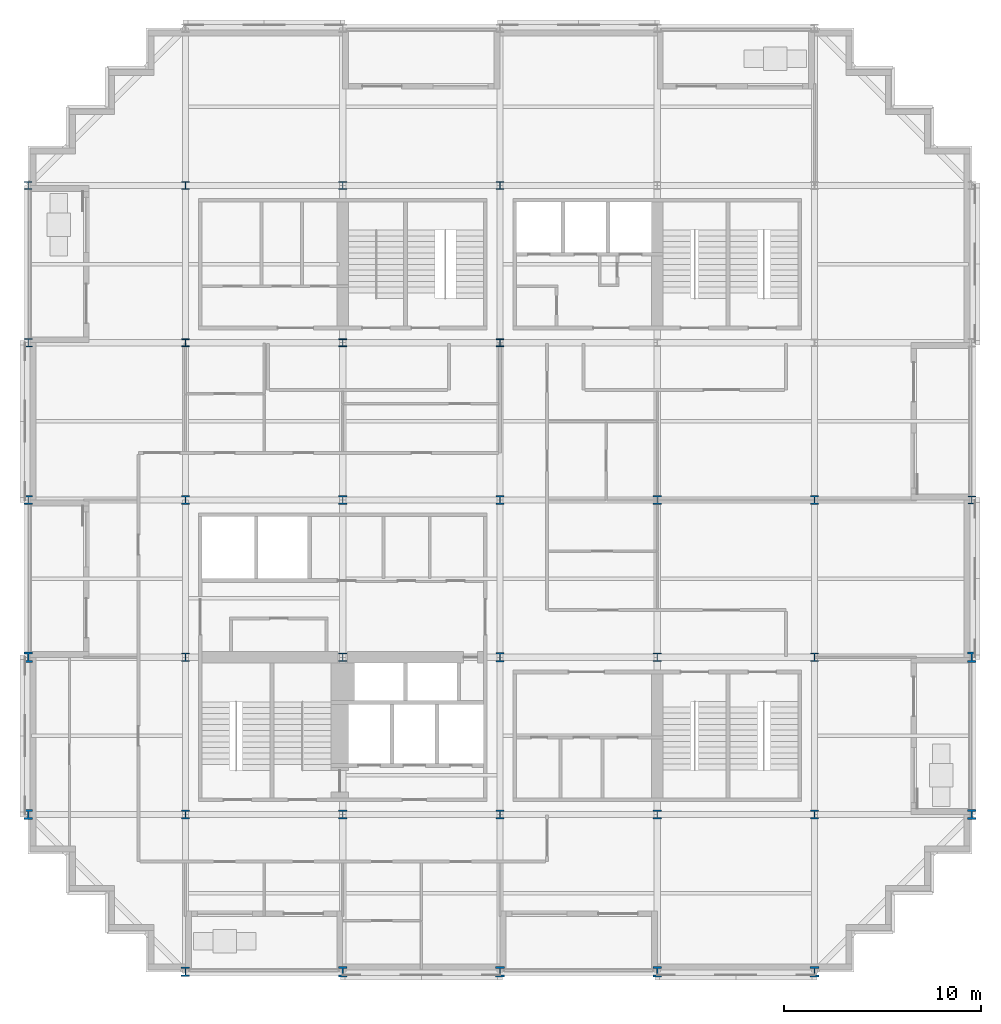
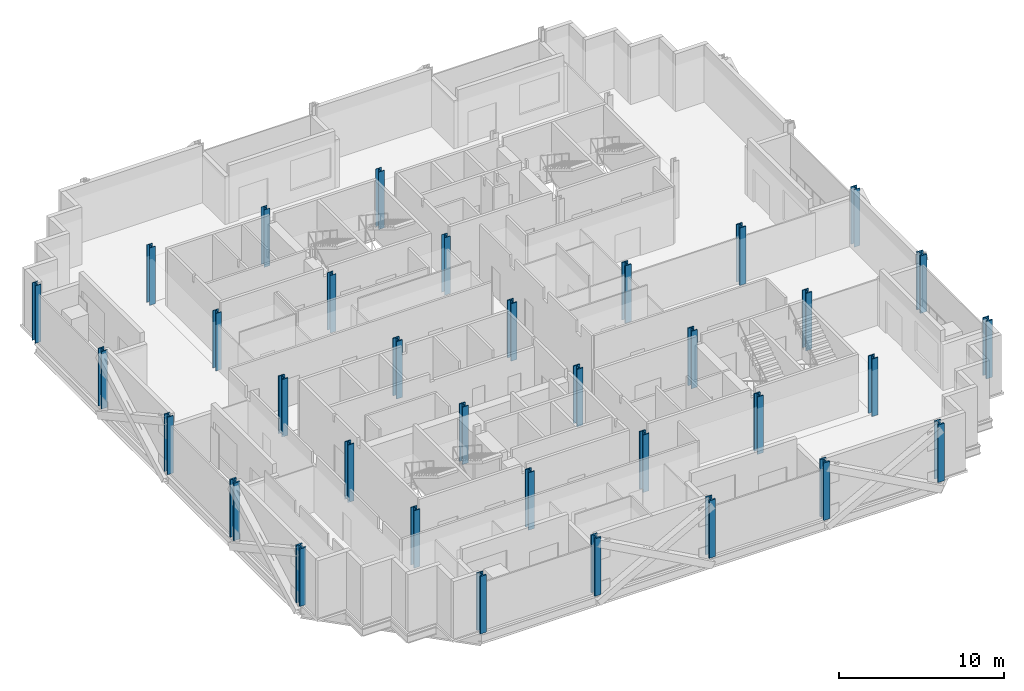
# One storey, part 1 of 13: 34 columns.
"""IFC4 building model written with IfcOpenShell, lengths in metres."""

from ifc_helpers import new_model, si_unit, direction, frame, origin, origin_2d, place, context, subcontext, project, spatial, i_section, extrude, material, material_profile, profile_set, type_object, element, save


model = new_model("IFC4")

# Units and contexts
model_context = context("Model", 3, precision=1e-05, world=origin(), true_north=direction((0.0, 1.0)))
body_context = subcontext(model_context, "Body", "Model", "MODEL_VIEW")
ifc_project = project(units=[si_unit("LENGTHUNIT", "METRE"), si_unit("AREAUNIT", "SQUARE_METRE"), si_unit("VOLUMEUNIT", "CUBIC_METRE"), si_unit("PLANEANGLEUNIT", "RADIAN"), si_unit("MASSUNIT", "GRAM", prefix="KILO")], contexts=[model_context])

# Site, building, storey
site_placement = place(None, origin())
site = spatial("IfcSite", under=ifc_project, at=site_placement, CompositionType="ELEMENT")
building_placement = place(site_placement, origin())
building = spatial("IfcBuilding", under=site, at=building_placement, Name="Immortelle Media Tower", CompositionType="ELEMENT")
storey_placement = place(building_placement, frame((0.0, 0.0, 34.800048828125)))
storey = spatial("IfcBuildingStorey", under=building, at=storey_placement, Name="L04", CompositionType="ELEMENT", Elevation=34.800048828125)

# Columns
ifc_material = material(Name="Steel ASTM A992 Gr 50", Category="steel")
ifc_material_profile_1 = material_profile(ifc_material, i_section(OverallWidth=0.39892578125, OverallDepth=0.385986328125, WebThickness=0.02099609375, FlangeThickness=0.032958984375, at=origin_2d()), Name="W14x176")
ifc_profile_set_1 = profile_set([ifc_material_profile_1], Name="Steel ASTM A992 Gr 50")
column_type_1 = type_object("IfcColumnType", Name="W14x176 column", PredefinedType="COLUMN", material=ifc_profile_set_1)
for number, where, z_axis, x_axis, name in (
    (1, (8.0, 32.0, 0.0), (0.0, 0.0, 1.0), (1.0, 0.0, 0.0), "Column 2/E"),
    (2, (8.0, 40.0, 0.0), (0.0, 0.0, 1.0), (1.0, 0.0, 0.0), "Column 2/F"),
    (3, (16.0, 32.0, 0.0), (0.0, 0.0, 1.0), (1.0, 0.0, 0.0), "Column 3/E"),
    (4, (16.0, 40.0, 0.0), (0.0, 0.0, 1.0), (1.0, 0.0, 0.0), "Column 3/F"),
):
    element("IfcColumn", number, at=place(storey_placement, frame(where, z_axis=z_axis, x_axis=x_axis)), inside=storey, type_object=column_type_1, Name=name, PredefinedType="COLUMN", context=body_context, shape_type="SweptSolid", body=[
        extrude(i_section(OverallWidth=0.39892578125, OverallDepth=0.385986328125, WebThickness=0.02099609375, FlangeThickness=0.032958984375, at=origin_2d()), origin(), (0.0, 0.0, 1.0), 4.25),
    ])
ifc_material_profile_2 = material_profile(ifc_material, i_section(OverallWidth=0.40087890625, OverallDepth=0.39892578125, WebThickness=0.02490234375, FlangeThickness=0.0400390625, at=origin_2d()), Name="W14x211")
ifc_profile_set_2 = profile_set([ifc_material_profile_2], Name="Steel ASTM A992 Gr 50")
column_type_2 = type_object("IfcColumnType", Name="W14x211 column", PredefinedType="COLUMN", material=ifc_profile_set_2)
for number, where, z_axis, x_axis, name in (
    (5, (24.0, 32.0, 0.0), (0.0, 0.0, 1.0), (1.0, 0.0, 0.0), "Column 4/E"),
    (6, (24.0, 40.0, 0.0), (0.0, 0.0, 1.0), (1.0, 0.0, 0.0), "Column 4/F"),
):
    element("IfcColumn", number, at=place(storey_placement, frame(where, z_axis=z_axis, x_axis=x_axis)), inside=storey, type_object=column_type_2, Name=name, PredefinedType="COLUMN", context=body_context, shape_type="SweptSolid", body=[
        extrude(i_section(OverallWidth=0.40087890625, OverallDepth=0.39892578125, WebThickness=0.02490234375, FlangeThickness=0.0400390625, at=origin_2d()), origin(), (0.0, 0.0, 1.0), 4.25),
    ])
ifc_material_profile_3 = material_profile(ifc_material, i_section(OverallWidth=0.406005859375, OverallDepth=0.4169921875, WebThickness=0.030029296875, FlangeThickness=0.048095703125, at=origin_2d()), Name="W14x257")
ifc_profile_set_3 = profile_set([ifc_material_profile_3], Name="Steel ASTM A992 Gr 50")
column_type_3 = type_object("IfcColumnType", Name="W14x257 column", PredefinedType="COLUMN", material=ifc_profile_set_3)
for number, where, z_axis, x_axis, name in (
    (7, (0.0, 40.0, 0.0), (0.0, 0.0, 1.0), (1.0, 0.0, 0.0), "Column 1/F"),
    (8, (48.0, 24.0, 0.0), (0.0, 0.0, 1.0), (1.0, 0.0, 0.0), "Column 7/D"),
):
    element("IfcColumn", number, at=place(storey_placement, frame(where, z_axis=z_axis, x_axis=x_axis)), inside=storey, type_object=column_type_3, Name=name, PredefinedType="COLUMN", context=body_context, shape_type="SweptSolid", body=[
        extrude(i_section(OverallWidth=0.406005859375, OverallDepth=0.4169921875, WebThickness=0.030029296875, FlangeThickness=0.048095703125, at=origin_2d()), origin(), (0.0, 0.0, 1.0), 4.25),
    ])
ifc_material_profile_4 = material_profile(ifc_material, i_section(OverallWidth=0.410888671875, OverallDepth=0.43408203125, WebThickness=0.035888671875, FlangeThickness=0.056884765625, at=origin_2d()), Name="W14x311")
ifc_profile_set_4 = profile_set([ifc_material_profile_4], Name="Steel ASTM A992 Gr 50")
column_type_4 = type_object("IfcColumnType", Name="W14x311 column", PredefinedType="COLUMN", material=ifc_profile_set_4)
for number, where, z_axis, x_axis, name in (
    (9, (0.0, 24.0, 0.0), (0.0, 0.0, 1.0), (1.0, 0.0, 0.0), "Column 1/D"),
    (10, (0.0, 32.0, 0.0), (0.0, 0.0, 1.0), (1.0, 0.0, 0.0), "Column 1/E"),
):
    element("IfcColumn", number, at=place(storey_placement, frame(where, z_axis=z_axis, x_axis=x_axis)), inside=storey, type_object=column_type_4, Name=name, PredefinedType="COLUMN", context=body_context, shape_type="SweptSolid", body=[
        extrude(i_section(OverallWidth=0.410888671875, OverallDepth=0.43408203125, WebThickness=0.035888671875, FlangeThickness=0.056884765625, at=origin_2d()), origin(), (0.0, 0.0, 1.0), 4.25),
    ])
ifc_material_profile_5 = material_profile(ifc_material, i_section(OverallWidth=0.4189453125, OverallDepth=0.455078125, WebThickness=0.0419921875, FlangeThickness=0.068115234375, at=origin_2d()), Name="W14x370")
ifc_profile_set_5 = profile_set([ifc_material_profile_5], Name="Steel ASTM A992 Gr 50")
column_type_5 = type_object("IfcColumnType", Name="W14x370 column", PredefinedType="COLUMN", material=ifc_profile_set_5)
for number, where, z_axis, x_axis, name in (
    (11, (8.0, 8.0, 0.0), (0.0, 0.0, 1.0), (1.0, 0.0, 0.0), "Column 2/B"),
    (12, (8.0, 16.0, 0.0), (0.0, 0.0, 1.0), (1.0, 0.0, 0.0), "Column 2/C"),
    (13, (16.0, 8.0, 0.0), (0.0, 0.0, 1.0), (1.0, 0.0, 0.0), "Column 3/B"),
    (14, (16.0, 16.0, 0.0), (0.0, 0.0, 1.0), (1.0, 0.0, 0.0), "Column 3/C"),
    (15, (32.0, 8.0, 0.0), (0.0, 0.0, 1.0), (1.0, 0.0, 0.0), "Column 5/B"),
    (16, (32.0, 16.0, 0.0), (0.0, 0.0, 1.0), (1.0, 0.0, 0.0), "Column 5/C"),
    (17, (40.0, 8.0, 0.0), (0.0, 0.0, 1.0), (1.0, 0.0, 0.0), "Column 6/B"),
    (18, (40.0, 16.0, 0.0), (0.0, 0.0, 1.0), (1.0, 0.0, 0.0), "Column 6/C"),
):
    element("IfcColumn", number, at=place(storey_placement, frame(where, z_axis=z_axis, x_axis=x_axis)), inside=storey, type_object=column_type_5, Name=name, PredefinedType="COLUMN", context=body_context, shape_type="SweptSolid", body=[
        extrude(i_section(OverallWidth=0.4189453125, OverallDepth=0.455078125, WebThickness=0.0419921875, FlangeThickness=0.068115234375, at=origin_2d()), origin(), (0.0, 0.0, 1.0), 4.25),
    ])
ifc_material_profile_6 = material_profile(ifc_material, i_section(OverallWidth=0.424072265625, OverallDepth=0.47509765625, WebThickness=0.048095703125, FlangeThickness=0.076904296875, at=origin_2d()), Name="W14x426")
ifc_profile_set_6 = profile_set([ifc_material_profile_6], Name="Steel ASTM A992 Gr 50")
column_type_6 = type_object("IfcColumnType", Name="W14x426 column", PredefinedType="COLUMN", material=ifc_profile_set_6)
for number, where, z_axis, x_axis, name in (
    (19, (8.0, 24.0, 0.0), (0.0, 0.0, 1.0), (1.0, 0.0, 0.0), "Column 2/D"),
    (20, (16.0, 24.0, 0.0), (0.0, 0.0, 1.0), (1.0, 0.0, 0.0), "Column 3/D"),
    (21, (24.0, 8.0, 0.0), (0.0, 0.0, 1.0), (1.0, 0.0, 0.0), "Column 4/B"),
    (22, (24.0, 16.0, 0.0), (0.0, 0.0, 1.0), (1.0, 0.0, 0.0), "Column 4/C"),
    (23, (24.0, 24.0, 0.0), (0.0, 0.0, 1.0), (1.0, 0.0, 0.0), "Column 4/D"),
    (24, (32.0, 24.0, 0.0), (0.0, 0.0, 1.0), (1.0, 0.0, 0.0), "Column 5/D"),
    (25, (40.0, 24.0, 0.0), (0.0, 0.0, 1.0), (1.0, 0.0, 0.0), "Column 6/D"),
):
    element("IfcColumn", number, at=place(storey_placement, frame(where, z_axis=z_axis, x_axis=x_axis)), inside=storey, type_object=column_type_6, Name=name, PredefinedType="COLUMN", context=body_context, shape_type="SweptSolid", body=[
        extrude(i_section(OverallWidth=0.424072265625, OverallDepth=0.47509765625, WebThickness=0.048095703125, FlangeThickness=0.076904296875, at=origin_2d()), origin(), (0.0, 0.0, 1.0), 4.25),
    ])
ifc_material_profile_7 = material_profile(ifc_material, i_section(OverallWidth=0.431884765625, OverallDepth=0.498046875, WebThickness=0.055908203125, FlangeThickness=0.089111328125, at=origin_2d()), Name="W14x500")
ifc_profile_set_7 = profile_set([ifc_material_profile_7], Name="Steel ASTM A992 Gr 50")
column_type_7 = type_object("IfcColumnType", Name="W14x500 column", PredefinedType="COLUMN", material=ifc_profile_set_7)
for number, where, z_axis, x_axis, name in (
    (26, (8.0, 0.0, 0.0), (0.0, 0.0, 1.0), (1.0, 0.0, 0.0), "Column 2/A"),
    (27, (48.0, 8.0, 0.0), (0.0, 0.0, 1.0), (1.0, 0.0, 0.0), "Column 7/B"),
):
    element("IfcColumn", number, at=place(storey_placement, frame(where, z_axis=z_axis, x_axis=x_axis)), inside=storey, type_object=column_type_7, Name=name, PredefinedType="COLUMN", context=body_context, shape_type="SweptSolid", body=[
        extrude(i_section(OverallWidth=0.431884765625, OverallDepth=0.498046875, WebThickness=0.055908203125, FlangeThickness=0.089111328125, at=origin_2d()), origin(), (0.0, 0.0, 1.0), 4.25),
    ])
ifc_material_profile_8 = material_profile(ifc_material, i_section(OverallWidth=0.44189453125, OverallDepth=0.531005859375, WebThickness=0.06591796875, FlangeThickness=0.10595703125, at=origin_2d()), Name="W14x605")
ifc_profile_set_8 = profile_set([ifc_material_profile_8], Name="Steel ASTM A992 Gr 50")
column_type_8 = type_object("IfcColumnType", Name="W14x605 column", PredefinedType="COLUMN", material=ifc_profile_set_8)
for number, where, z_axis, x_axis, name in (
    (28, (0.0, 8.0, 0.0), (0.0, 0.0, 1.0), (1.0, 0.0, 0.0), "Column 1/B"),
    (29, (0.0, 16.0, 0.0), (0.0, 0.0, 1.0), (1.0, 0.0, 0.0), "Column 1/C"),
    (30, (16.0, 0.0, 0.0), (0.0, 0.0, 1.0), (1.0, 0.0, 0.0), "Column 3/A"),
    (31, (24.0, 0.0, 0.0), (0.0, 0.0, 1.0), (1.0, 0.0, 0.0), "Column 4/A"),
    (32, (32.0, 0.0, 0.0), (0.0, 0.0, 1.0), (1.0, 0.0, 0.0), "Column 5/A"),
    (33, (40.0, 0.0, 0.0), (0.0, 0.0, 1.0), (1.0, 0.0, 0.0), "Column 6/A"),
    (34, (48.0, 16.0, 0.0), (0.0, 0.0, 1.0), (1.0, 0.0, 0.0), "Column 7/C"),
):
    element("IfcColumn", number, at=place(storey_placement, frame(where, z_axis=z_axis, x_axis=x_axis)), inside=storey, type_object=column_type_8, Name=name, PredefinedType="COLUMN", context=body_context, shape_type="SweptSolid", body=[
        extrude(i_section(OverallWidth=0.44189453125, OverallDepth=0.531005859375, WebThickness=0.06591796875, FlangeThickness=0.10595703125, at=origin_2d()), origin(), (0.0, 0.0, 1.0), 4.25),
    ])

save(model, "model.ifc")
